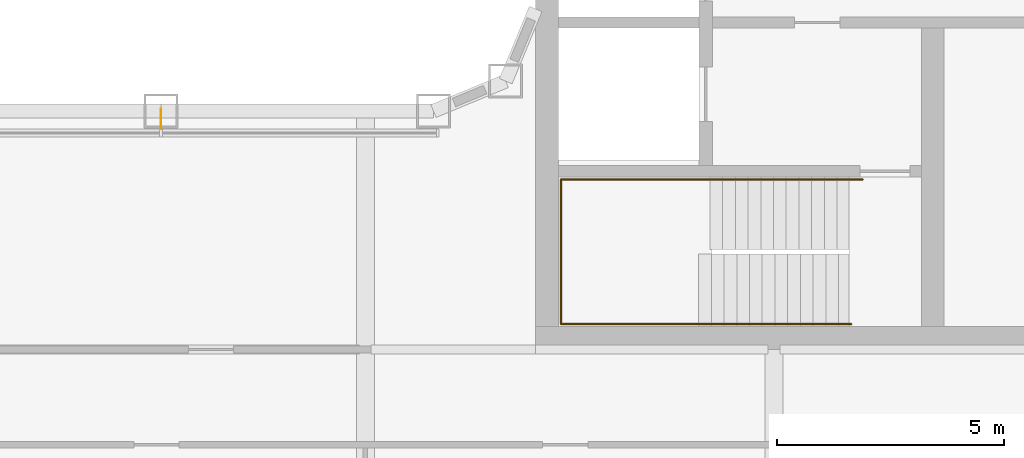
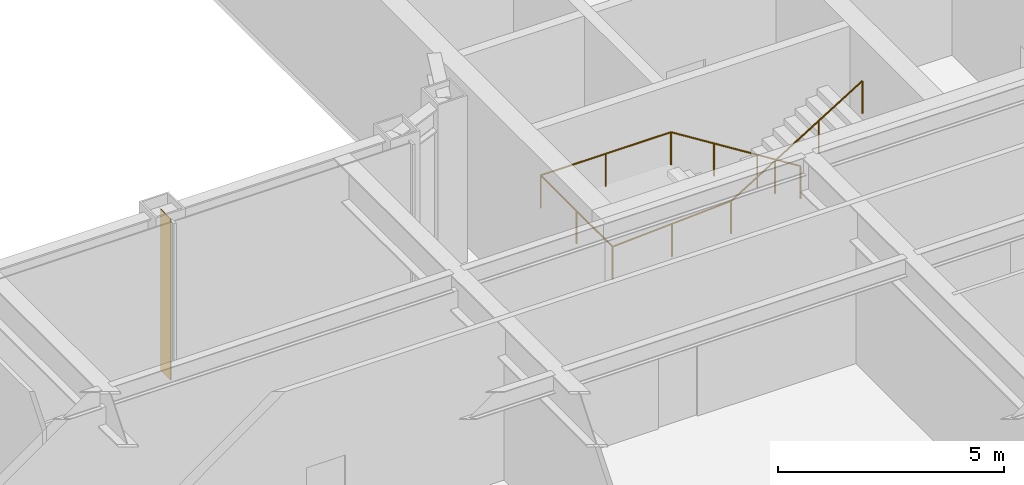
# One storey, part 26 of 30: 1 railing, 1 shading device.
"""IFC4 building model written with IfcOpenShell, lengths in metres."""

import ifcopenshell
import ifcopenshell.guid

model = None  # the IFC model being written
_history = None  # IfcOwnerHistory: only IFC2X3 demands one
_inside = {}  # id of a spatial element -> (the spatial element, [elements in it])
_under = {}  # id of a project, library or spatial element -> (it, [spatial elements below it])
_declared = {}  # id of a project -> (the project, [libraries it declares])
_typed = {}  # id of a type object -> (the type object, [elements of that type])
_made_of = {}  # id of a material, layer set ... -> (it, [elements and type objects made of it])


def new_model(schema):
    """Start an empty IFC model of exactly this schema.

    Asked for "IFC4X3", IfcOpenShell would pick the latest addendum, in which some entities
    have other attributes; the version numbers below select the first issue.
    IFC2X3 requires an IfcOwnerHistory on every rooted entity: one is made here for all.
    """
    global model, _history
    if schema == "IFC4X3":
        model = ifcopenshell.file(schema_version=(4, 3, 0, 0))
    else:
        model = ifcopenshell.file(schema=schema)
    _inside.clear()
    _under.clear()
    _declared.clear()
    _typed.clear()
    _made_of.clear()
    _history = None
    if model.schema == "IFC2X3":
        org = make("IfcOrganization", Name="unknown")
        user = make(
            "IfcPersonAndOrganization",
            ThePerson=make("IfcPerson", FamilyName="unknown"),
            TheOrganization=org,
        )
        app = make(
            "IfcApplication",
            ApplicationDeveloper=org,
            Version="unknown",
            ApplicationFullName="unknown",
            ApplicationIdentifier="unknown",
        )
        _history = make(
            "IfcOwnerHistory",
            OwningUser=user,
            OwningApplication=app,
            ChangeAction="ADDED",
            CreationDate=0,
        )
    return model


def make(cls, **values):
    """One entity of the class cls with the attributes given. An attribute that is None is left unset."""
    return model.create_entity(
        cls, **{name: value for name, value in values.items() if value is not None}
    )


def rooted(cls, **values):
    """An entity with a GlobalId (a new one), such as an element, a storey or a relation."""
    return make(cls, GlobalId=ifcopenshell.guid.new(), OwnerHistory=_history, **values)


def si_unit(unit_type, name, prefix=None):
    """IfcSIUnit, for example si_unit("LENGTHUNIT", "METRE", prefix="MILLI")."""
    return make("IfcSIUnit", UnitType=unit_type, Prefix=prefix, Name=name)


def assignment(units):
    """IfcUnitAssignment: the units of a project."""
    return None if units is None else make("IfcUnitAssignment", Units=units)


def point(xyz):
    """IfcCartesianPoint."""
    return None if xyz is None else make("IfcCartesianPoint", Coordinates=xyz)


def direction(xyz):
    """IfcDirection."""
    return None if xyz is None else make("IfcDirection", DirectionRatios=xyz)


def frame(location, z_axis=None, x_axis=None):
    """IfcAxis2Placement3D, a coordinate frame: its origin and axes. An axis left out is left unset."""
    return make(
        "IfcAxis2Placement3D",
        Location=point(location),
        Axis=direction(z_axis),
        RefDirection=direction(x_axis),
    )


def frame_2d(location, x_axis=None):
    """IfcAxis2Placement2D, a coordinate frame in the plane: its origin and x axis."""
    return make(
        "IfcAxis2Placement2D", Location=point(location), RefDirection=direction(x_axis)
    )


def origin():
    """The frame at (0, 0, 0) with its axes left unset."""
    return frame((0.0, 0.0, 0.0))


def origin_2d():
    """The frame at (0, 0) in the plane with its x axis left unset."""
    return frame_2d((0.0, 0.0))


def place(relative_to, where):
    """IfcLocalPlacement: puts the frame where relative to a parent placement (None: the world)."""
    return make(
        "IfcLocalPlacement", PlacementRelTo=relative_to, RelativePlacement=where
    )


def context(
    kind, dimensions, precision=None, world=None, true_north=None, identifier=None
):
    """IfcGeometricRepresentationContext, for example the 3D "Model" context."""
    return make(
        "IfcGeometricRepresentationContext",
        ContextIdentifier=identifier,
        ContextType=kind,
        CoordinateSpaceDimension=dimensions,
        Precision=precision,
        WorldCoordinateSystem=world,
        TrueNorth=true_north,
    )


def subcontext(parent, identifier, kind, view, scale=None):
    """IfcGeometricRepresentationSubContext, for example "Body" below "Model"."""
    return make(
        "IfcGeometricRepresentationSubContext",
        ContextIdentifier=identifier,
        ContextType=kind,
        ParentContext=parent,
        TargetScale=scale,
        TargetView=view,
    )


def project(units=None, contexts=None):
    """IfcProject with its units and contexts."""
    return rooted(
        "IfcProject",
        Name="project",
        RepresentationContexts=contexts,
        UnitsInContext=assignment(units),
    )


def spatial(cls, under=None, at=None, **own):
    """A site, building, storey or space (cls), placed at a placement, below another one or the project."""
    s = rooted(cls, ObjectPlacement=at, **own)
    if under is not None:
        _under.setdefault(under.id(), (under, []))[1].append(s)
    return s


def profile(cls, at=None, kind="AREA", **sizes):
    """A parametric profile (cls). Its sizes go by their IFC names, for example OverallWidth=200.0."""
    return make(cls, ProfileType=kind, Position=at, **sizes)


def rectangle(**sizes):
    """IfcRectangleProfileDef."""
    return profile("IfcRectangleProfileDef", **sizes)


def circle(**sizes):
    """IfcCircleProfileDef."""
    return profile("IfcCircleProfileDef", **sizes)


def extrude(swept, where, along, depth):
    """IfcExtrudedAreaSolid: the profile swept, set in the frame where, extruded along a direction by depth."""
    return make(
        "IfcExtrudedAreaSolid",
        SweptArea=swept,
        Position=where,
        ExtrudedDirection=direction(along),
        Depth=depth,
    )


def shape(context_of_items, identifier, shape_type, items):
    """IfcShapeRepresentation: the items that make up one representation, for example the "Body"."""
    return make(
        "IfcShapeRepresentation",
        ContextOfItems=context_of_items,
        RepresentationIdentifier=identifier,
        RepresentationType=shape_type,
        Items=items,
    )


def material(Name=None, Category=None):
    """IfcMaterial."""
    return make("IfcMaterial", Name=Name, Category=Category)


def layer(
    of_material, thickness, ventilated=None, Name=None, Category=None, Priority=None
):
    """IfcMaterialLayer: one layer of a wall or slab, of a material (None: an air gap)."""
    return make(
        "IfcMaterialLayer",
        Material=of_material,
        LayerThickness=thickness,
        IsVentilated=ventilated,
        Name=Name,
        Category=Category,
        Priority=Priority,
    )


def layer_set(layers, Name=None):
    """IfcMaterialLayerSet."""
    return make("IfcMaterialLayerSet", MaterialLayers=layers, LayerSetName=Name)


def made_of(thing, what):
    """Note that an element or type object is made of a material, layer set ...; save() writes the relation."""
    if what is not None:
        _made_of.setdefault(what.id(), (what, []))[1].append(thing)
    return thing


def type_object(cls, material=None, **own):
    """A type object (cls), such as IfcWallType, which elements share."""
    return made_of(rooted(cls, **own), material)


def element(
    cls,
    number,
    at=None,
    inside=None,
    cuts=None,
    type_object=None,
    material=None,
    context=None,
    identifier="Body",
    shape_type=None,
    held_by="IfcProductDefinitionShape",
    body=None,
    shapes=None,
    **own,
):
    """One element of the class cls, such as IfcWall. Its Tag is "e" and its number.

    at: its placement. inside: the storey or other place that contains it. cuts: it is an
    opening in that element (IfcRelVoidsElement). A single representation is given by context,
    identifier, shape_type and body (its items); several are given by shapes. held_by: the class
    of the entity that holds the representations. save() writes the other relations.
    """
    e = rooted(cls, Tag="e%d" % number, ObjectPlacement=at, **own)
    if body is not None:
        shapes = [shape(context, identifier, shape_type, body)]
    if shapes is not None:
        e.Representation = make(held_by, Representations=shapes)
    if inside is not None:
        _inside.setdefault(inside.id(), (inside, []))[1].append(e)
    if cuts is not None:
        rooted(
            "IfcRelVoidsElement", RelatingBuildingElement=cuts, RelatedOpeningElement=e
        )
    if type_object is not None:
        _typed.setdefault(type_object.id(), (type_object, []))[1].append(e)
    return made_of(e, material)


def aggregate(whole, parts):
    """IfcRelAggregates: a whole, such as a stair, and the parts it consists of."""
    return rooted("IfcRelAggregates", RelatingObject=whole, RelatedObjects=parts)


def save(model, path):
    """Write the relations noted so far, then the file.

    IfcRelAggregates (storeys below a building ...), IfcRelContainedInSpatialStructure (elements
    in a storey), IfcRelDefinesByType, IfcRelAssociatesMaterial and IfcRelDeclares: one each for
    every whole, place, type object, material and project.
    """
    for whole, parts in _under.values():
        aggregate(whole, parts)
    for where, things in _inside.values():
        rooted(
            "IfcRelContainedInSpatialStructure",
            RelatedElements=things,
            RelatingStructure=where,
        )
    for kind, things in _typed.values():
        rooted("IfcRelDefinesByType", RelatedObjects=things, RelatingType=kind)
    for what, things in _made_of.values():
        rooted("IfcRelAssociatesMaterial", RelatedObjects=things, RelatingMaterial=what)
    for by, libraries in _declared.values():
        rooted("IfcRelDeclares", RelatingContext=by, RelatedDefinitions=libraries)
    model.write(path)


model = new_model("IFC4")

# Units and contexts
model_context = context("Model", 3, precision=1e-05, world=origin(), true_north=direction((0.0, 1.0)))
body_context = subcontext(model_context, "Body", "Model", "MODEL_VIEW")
ifc_project = project(units=[si_unit("LENGTHUNIT", "METRE"), si_unit("AREAUNIT", "SQUARE_METRE"), si_unit("VOLUMEUNIT", "CUBIC_METRE"), si_unit("PLANEANGLEUNIT", "RADIAN"), si_unit("MASSUNIT", "GRAM", prefix="KILO")], contexts=[model_context])

# Site, building, storey
site_placement = place(None, origin())
site = spatial("IfcSite", under=ifc_project, at=site_placement, CompositionType="ELEMENT")
building_placement = place(site_placement, origin())
building = spatial("IfcBuilding", under=site, at=building_placement, Name="Siwar Civic Tower", CompositionType="ELEMENT")
storey_placement = place(building_placement, frame((0.0, 0.0, 62.699951171875)))
storey = spatial("IfcBuildingStorey", under=building, at=storey_placement, Name="L13", CompositionType="ELEMENT", Elevation=62.699951171875)

# Railing
ifc_material_1 = material(Name="Stainless steel", Category="steel")
railing_type = type_object("IfcRailingType", Name="CORE-STAIR-HANDRAIL", PredefinedType="HANDRAIL", material=ifc_material_1)
railing_placement = place(storey_placement, frame((15.449951171875, -9.758056640625, 0.173095703125)))
element("IfcRailing", 1, at=railing_placement, inside=storey, type_object=railing_type, Name="Stair handrail ST4", PredefinedType="HANDRAIL", context=body_context, shape_type="SweptSolid", body=[
    extrude(circle(Radius=0.02001953125, at=origin_2d()), frame((0.0, 0.0, 0.8798828125), z_axis=(-0.847063342986, 0.0, 0.531491950051), x_axis=(0.0, -1.0, 0.0)), (0.0, 0.0, 1.0), 3.90771484375),
    extrude(circle(Radius=0.02001953125, at=origin_2d()), frame((-3.31005859375, 0.0, 2.956787109375), z_axis=(-1.0, 0.0, 0.0), x_axis=(0.0, -1.0, 0.0)), (0.0, 0.0, 1.0), 3.331787109375),
    extrude(circle(Radius=0.02001953125, at=origin_2d()), frame((-6.641845703125, 0.0, 2.956787109375), z_axis=(0.0, -1.0, 0.0), x_axis=(1.0, 0.0, 0.0)), (0.0, 0.0, 1.0), 3.183837890625),
    extrude(circle(Radius=0.02001953125, at=origin_2d()), frame((-6.641845703125, -3.183837890625, 2.956787109375), z_axis=(0.99837434197, 0.0, 0.056997134106), x_axis=(0.0, 1.0, 0.0)), (0.0, 0.0, 1.0), 3.036865234375),
    extrude(circle(Radius=0.02001953125, at=origin_2d()), frame((-3.60986328125, -3.183837890625, 3.1298828125), z_axis=(0.850606129759, 0.0, 0.525803396734), x_axis=(0.0, 1.0, 0.0)), (0.0, 0.0, 1.0), 3.949951171875),
    extrude(circle(Radius=0.02001953125, at=origin_2d()), origin(), (0.0, 0.0, 1.0), 0.85986328125),
    extrude(circle(Radius=0.02001953125, at=origin_2d()), frame((-1.103271484375, 0.0, 0.6923828125)), (0.0, 0.0, 1.0), 0.85986328125),
    extrude(circle(Radius=0.02001953125, at=origin_2d()), frame((-2.206787109375, 0.0, 1.384521484375)), (0.0, 0.0, 1.0), 0.85986328125),
    extrude(circle(Radius=0.02001953125, at=origin_2d()), frame((-3.31005859375, 0.0, 2.076904296875)), (0.0, 0.0, 1.0), 0.85986328125),
    extrude(circle(Radius=0.02001953125, at=origin_2d()), frame((-4.97607421875, 0.0, 2.076904296875)), (0.0, 0.0, 1.0), 0.85986328125),
    extrude(circle(Radius=0.02001953125, at=origin_2d()), frame((-6.641845703125, 0.0, 2.076904296875)), (0.0, 0.0, 1.0), 0.85986328125),
    extrude(circle(Radius=0.02001953125, at=origin_2d()), frame((-6.641845703125, -1.591796875, 2.076904296875)), (0.0, 0.0, 1.0), 0.85986328125),
    extrude(circle(Radius=0.02001953125, at=origin_2d()), frame((-6.641845703125, -3.183837890625, 2.076904296875)), (0.0, 0.0, 1.0), 0.85986328125),
    extrude(circle(Radius=0.02001953125, at=origin_2d()), frame((-5.1259765625, -3.183837890625, 2.16357421875)), (0.0, 0.0, 1.0), 0.85986328125),
    extrude(circle(Radius=0.02001953125, at=origin_2d()), frame((-3.60986328125, -3.183837890625, 2.25)), (0.0, 0.0, 1.0), 0.85986328125),
    extrude(circle(Radius=0.02001953125, at=origin_2d()), frame((-2.489990234375, -3.183837890625, 2.9423828125)), (0.0, 0.0, 1.0), 0.85986328125),
    extrude(circle(Radius=0.02001953125, at=origin_2d()), frame((-1.369873046875, -3.183837890625, 3.634521484375)), (0.0, 0.0, 1.0), 0.85986328125),
    extrude(circle(Radius=0.02001953125, at=origin_2d()), frame((-0.25, -3.183837890625, 4.326904296875)), (0.0, 0.0, 1.0), 0.85986328125),
])

# Shading device
ifc_material_2 = material(Name="Aluminium 6063-T6", Category="aluminium")
ifc_layer = layer(ifc_material_2, 0.02001953125)
ifc_layer_set = layer_set([ifc_layer], Name="Aluminium 6063-T6")
shading_device_type = type_object("IfcShadingDeviceType", Name="ENV-FIN", PredefinedType="JALOUSIE", material=ifc_layer_set)
shading_device_placement = place(storey_placement, frame((0.0, -8.419921875, 0.0), z_axis=(0.0, 0.0, 1.0), x_axis=(1.0, 0.0, 0.0)))
element("IfcShadingDevice", 2, at=shading_device_placement, inside=storey, type_object=shading_device_type, Name="SUNSHADE fin WS 1", PredefinedType="JALOUSIE", context=body_context, shape_type="SweptSolid", body=[
    extrude(rectangle(XDim=0.02001953125, YDim=0.449951171875, at=origin_2d()), origin(), (0.0, 0.0, 1.0), 4.35009765625),
])

save(model, "model.ifc")
